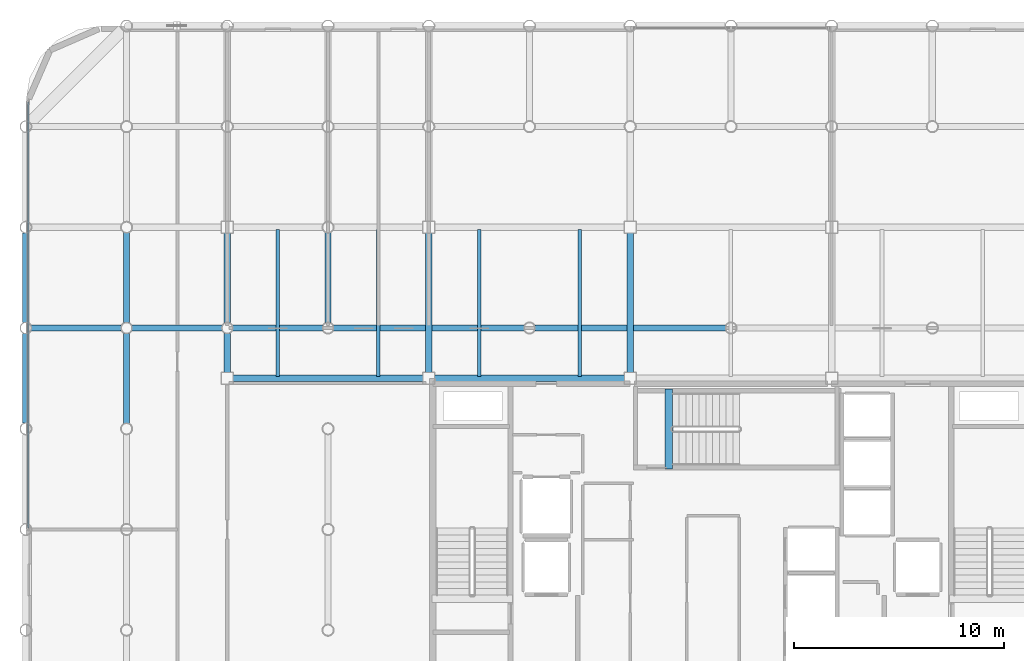
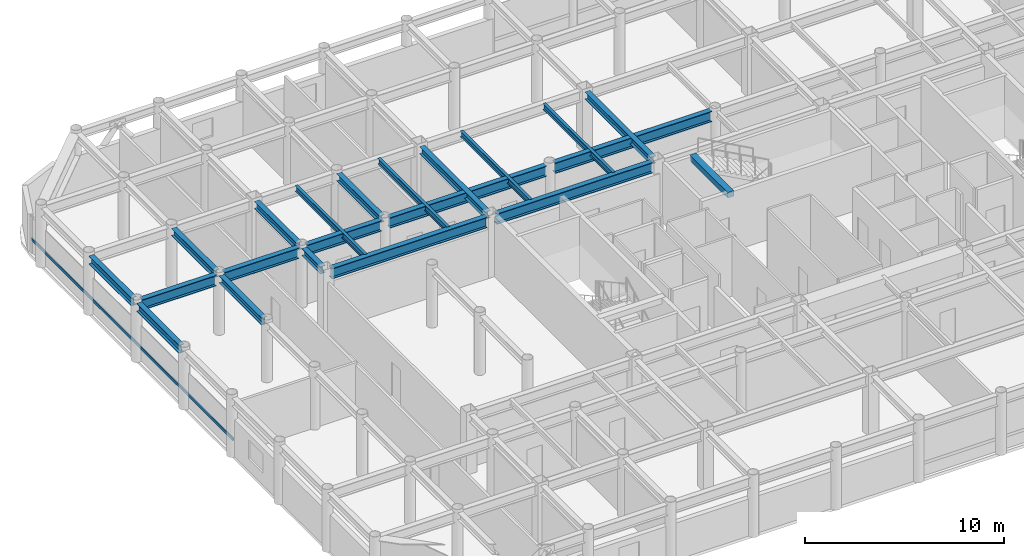
# One storey, part 7 of 21: 21 beams, 1 member, 1 element without a shape of its own.
"""IFC4 building model written with IfcOpenShell, lengths in metres."""

import ifcopenshell
import ifcopenshell.guid

model = None  # the IFC model being written
_history = None  # IfcOwnerHistory: only IFC2X3 demands one
_inside = {}  # id of a spatial element -> (the spatial element, [elements in it])
_under = {}  # id of a project, library or spatial element -> (it, [spatial elements below it])
_declared = {}  # id of a project -> (the project, [libraries it declares])
_typed = {}  # id of a type object -> (the type object, [elements of that type])
_made_of = {}  # id of a material, layer set ... -> (it, [elements and type objects made of it])


def new_model(schema):
    """Start an empty IFC model of exactly this schema.

    Asked for "IFC4X3", IfcOpenShell would pick the latest addendum, in which some entities
    have other attributes; the version numbers below select the first issue.
    IFC2X3 requires an IfcOwnerHistory on every rooted entity: one is made here for all.
    """
    global model, _history
    if schema == "IFC4X3":
        model = ifcopenshell.file(schema_version=(4, 3, 0, 0))
    else:
        model = ifcopenshell.file(schema=schema)
    _inside.clear()
    _under.clear()
    _declared.clear()
    _typed.clear()
    _made_of.clear()
    _history = None
    if model.schema == "IFC2X3":
        org = make("IfcOrganization", Name="unknown")
        user = make(
            "IfcPersonAndOrganization",
            ThePerson=make("IfcPerson", FamilyName="unknown"),
            TheOrganization=org,
        )
        app = make(
            "IfcApplication",
            ApplicationDeveloper=org,
            Version="unknown",
            ApplicationFullName="unknown",
            ApplicationIdentifier="unknown",
        )
        _history = make(
            "IfcOwnerHistory",
            OwningUser=user,
            OwningApplication=app,
            ChangeAction="ADDED",
            CreationDate=0,
        )
    return model


def make(cls, **values):
    """One entity of the class cls with the attributes given. An attribute that is None is left unset."""
    return model.create_entity(
        cls, **{name: value for name, value in values.items() if value is not None}
    )


def rooted(cls, **values):
    """An entity with a GlobalId (a new one), such as an element, a storey or a relation."""
    return make(cls, GlobalId=ifcopenshell.guid.new(), OwnerHistory=_history, **values)


def si_unit(unit_type, name, prefix=None):
    """IfcSIUnit, for example si_unit("LENGTHUNIT", "METRE", prefix="MILLI")."""
    return make("IfcSIUnit", UnitType=unit_type, Prefix=prefix, Name=name)


def assignment(units):
    """IfcUnitAssignment: the units of a project."""
    return None if units is None else make("IfcUnitAssignment", Units=units)


def point(xyz):
    """IfcCartesianPoint."""
    return None if xyz is None else make("IfcCartesianPoint", Coordinates=xyz)


def direction(xyz):
    """IfcDirection."""
    return None if xyz is None else make("IfcDirection", DirectionRatios=xyz)


def frame(location, z_axis=None, x_axis=None):
    """IfcAxis2Placement3D, a coordinate frame: its origin and axes. An axis left out is left unset."""
    return make(
        "IfcAxis2Placement3D",
        Location=point(location),
        Axis=direction(z_axis),
        RefDirection=direction(x_axis),
    )


def frame_2d(location, x_axis=None):
    """IfcAxis2Placement2D, a coordinate frame in the plane: its origin and x axis."""
    return make(
        "IfcAxis2Placement2D", Location=point(location), RefDirection=direction(x_axis)
    )


def origin():
    """The frame at (0, 0, 0) with its axes left unset."""
    return frame((0.0, 0.0, 0.0))


def origin_2d():
    """The frame at (0, 0) in the plane with its x axis left unset."""
    return frame_2d((0.0, 0.0))


def place(relative_to, where):
    """IfcLocalPlacement: puts the frame where relative to a parent placement (None: the world)."""
    return make(
        "IfcLocalPlacement", PlacementRelTo=relative_to, RelativePlacement=where
    )


def context(
    kind, dimensions, precision=None, world=None, true_north=None, identifier=None
):
    """IfcGeometricRepresentationContext, for example the 3D "Model" context."""
    return make(
        "IfcGeometricRepresentationContext",
        ContextIdentifier=identifier,
        ContextType=kind,
        CoordinateSpaceDimension=dimensions,
        Precision=precision,
        WorldCoordinateSystem=world,
        TrueNorth=true_north,
    )


def subcontext(parent, identifier, kind, view, scale=None):
    """IfcGeometricRepresentationSubContext, for example "Body" below "Model"."""
    return make(
        "IfcGeometricRepresentationSubContext",
        ContextIdentifier=identifier,
        ContextType=kind,
        ParentContext=parent,
        TargetScale=scale,
        TargetView=view,
    )


def project(units=None, contexts=None):
    """IfcProject with its units and contexts."""
    return rooted(
        "IfcProject",
        Name="project",
        RepresentationContexts=contexts,
        UnitsInContext=assignment(units),
    )


def spatial(cls, under=None, at=None, **own):
    """A site, building, storey or space (cls), placed at a placement, below another one or the project."""
    s = rooted(cls, ObjectPlacement=at, **own)
    if under is not None:
        _under.setdefault(under.id(), (under, []))[1].append(s)
    return s


def profile(cls, at=None, kind="AREA", **sizes):
    """A parametric profile (cls). Its sizes go by their IFC names, for example OverallWidth=200.0."""
    return make(cls, ProfileType=kind, Position=at, **sizes)


def rectangle(**sizes):
    """IfcRectangleProfileDef."""
    return profile("IfcRectangleProfileDef", **sizes)


def hollow_rectangle(**sizes):
    """IfcRectangleHollowProfileDef."""
    return profile("IfcRectangleHollowProfileDef", **sizes)


def i_section(**sizes):
    """IfcIShapeProfileDef."""
    return profile("IfcIShapeProfileDef", **sizes)


def extrude(swept, where, along, depth):
    """IfcExtrudedAreaSolid: the profile swept, set in the frame where, extruded along a direction by depth."""
    return make(
        "IfcExtrudedAreaSolid",
        SweptArea=swept,
        Position=where,
        ExtrudedDirection=direction(along),
        Depth=depth,
    )


def shape(context_of_items, identifier, shape_type, items):
    """IfcShapeRepresentation: the items that make up one representation, for example the "Body"."""
    return make(
        "IfcShapeRepresentation",
        ContextOfItems=context_of_items,
        RepresentationIdentifier=identifier,
        RepresentationType=shape_type,
        Items=items,
    )


def material(Name=None, Category=None):
    """IfcMaterial."""
    return make("IfcMaterial", Name=Name, Category=Category)


def layer(
    of_material, thickness, ventilated=None, Name=None, Category=None, Priority=None
):
    """IfcMaterialLayer: one layer of a wall or slab, of a material (None: an air gap)."""
    return make(
        "IfcMaterialLayer",
        Material=of_material,
        LayerThickness=thickness,
        IsVentilated=ventilated,
        Name=Name,
        Category=Category,
        Priority=Priority,
    )


def layer_set(layers, Name=None):
    """IfcMaterialLayerSet."""
    return make("IfcMaterialLayerSet", MaterialLayers=layers, LayerSetName=Name)


def material_profile(
    of_material, cross_section, Name=None, Category=None, Priority=None
):
    """IfcMaterialProfile: a cross section and its material."""
    return make(
        "IfcMaterialProfile",
        Name=Name,
        Material=of_material,
        Profile=cross_section,
        Priority=Priority,
        Category=Category,
    )


def profile_set(profiles, Name=None, composite=None):
    """IfcMaterialProfileSet."""
    return make(
        "IfcMaterialProfileSet",
        Name=Name,
        MaterialProfiles=profiles,
        CompositeProfile=composite,
    )


def made_of(thing, what):
    """Note that an element or type object is made of a material, layer set ...; save() writes the relation."""
    if what is not None:
        _made_of.setdefault(what.id(), (what, []))[1].append(thing)
    return thing


def type_object(cls, material=None, **own):
    """A type object (cls), such as IfcWallType, which elements share."""
    return made_of(rooted(cls, **own), material)


def element(
    cls,
    number,
    at=None,
    inside=None,
    cuts=None,
    type_object=None,
    material=None,
    context=None,
    identifier="Body",
    shape_type=None,
    held_by="IfcProductDefinitionShape",
    body=None,
    shapes=None,
    **own,
):
    """One element of the class cls, such as IfcWall. Its Tag is "e" and its number.

    at: its placement. inside: the storey or other place that contains it. cuts: it is an
    opening in that element (IfcRelVoidsElement). A single representation is given by context,
    identifier, shape_type and body (its items); several are given by shapes. held_by: the class
    of the entity that holds the representations. save() writes the other relations.
    """
    e = rooted(cls, Tag="e%d" % number, ObjectPlacement=at, **own)
    if body is not None:
        shapes = [shape(context, identifier, shape_type, body)]
    if shapes is not None:
        e.Representation = make(held_by, Representations=shapes)
    if inside is not None:
        _inside.setdefault(inside.id(), (inside, []))[1].append(e)
    if cuts is not None:
        rooted(
            "IfcRelVoidsElement", RelatingBuildingElement=cuts, RelatedOpeningElement=e
        )
    if type_object is not None:
        _typed.setdefault(type_object.id(), (type_object, []))[1].append(e)
    return made_of(e, material)


def aggregate(whole, parts):
    """IfcRelAggregates: a whole, such as a stair, and the parts it consists of."""
    return rooted("IfcRelAggregates", RelatingObject=whole, RelatedObjects=parts)


def save(model, path):
    """Write the relations noted so far, then the file.

    IfcRelAggregates (storeys below a building ...), IfcRelContainedInSpatialStructure (elements
    in a storey), IfcRelDefinesByType, IfcRelAssociatesMaterial and IfcRelDeclares: one each for
    every whole, place, type object, material and project.
    """
    for whole, parts in _under.values():
        aggregate(whole, parts)
    for where, things in _inside.values():
        rooted(
            "IfcRelContainedInSpatialStructure",
            RelatedElements=things,
            RelatingStructure=where,
        )
    for kind, things in _typed.values():
        rooted("IfcRelDefinesByType", RelatedObjects=things, RelatingType=kind)
    for what, things in _made_of.values():
        rooted("IfcRelAssociatesMaterial", RelatedObjects=things, RelatingMaterial=what)
    for by, libraries in _declared.values():
        rooted("IfcRelDeclares", RelatingContext=by, RelatedDefinitions=libraries)
    model.write(path)


model = new_model("IFC4")

# Units and contexts
model_context = context("Model", 3, precision=1e-05, world=origin(), true_north=direction((0.0, 1.0)))
body_context = subcontext(model_context, "Body", "Model", "MODEL_VIEW")
ifc_project = project(units=[si_unit("LENGTHUNIT", "METRE"), si_unit("AREAUNIT", "SQUARE_METRE"), si_unit("VOLUMEUNIT", "CUBIC_METRE"), si_unit("PLANEANGLEUNIT", "RADIAN"), si_unit("MASSUNIT", "GRAM", prefix="KILO")], contexts=[model_context])

# Site, building, storey
site_placement = place(None, origin())
site = spatial("IfcSite", under=ifc_project, at=site_placement, CompositionType="ELEMENT")
building_placement = place(site_placement, origin())
building = spatial("IfcBuilding", under=site, at=building_placement, Name="Kallvorn Hotel Tower", CompositionType="ELEMENT")
storey_placement = place(building_placement, frame((0.0, 0.0, 268.5)))
storey = spatial("IfcBuildingStorey", under=building, at=storey_placement, Name="L67", CompositionType="ELEMENT", Elevation=268.5)

# Beams
ifc_material_1 = material(Name="Structural steel S355JR", Category="steel")
ifc_material_profile_1 = material_profile(ifc_material_1, i_section(OverallWidth=0.300048828125, OverallDepth=0.43994140625, WebThickness=0.011474609375, FlangeThickness=0.02099609375, at=origin_2d()), Name="HE 450 A")
ifc_profile_set_1 = profile_set([ifc_material_profile_1], Name="Structural steel S355JR")
beam_type_1 = type_object("IfcBeamType", Name="BM_HE450A", PredefinedType="BEAM", material=ifc_profile_set_1)
for number, where, z_axis, x_axis, name in (
    (1, (-28.800048828125, 5.054443359375, 3.449951171875), (0.0, 1.0, 0.0), (-1.0, 0.0, 0.0), "L68 Primary Y-Girder 78"),
    (2, (-28.800048828125, 9.8544921875, 3.449951171875), (0.0, 1.0, 0.0), (-1.0, 0.0, 0.0), "L68 Primary Y-Girder 79"),
):
    element("IfcBeam", number, at=place(storey_placement, frame(where, z_axis=z_axis, x_axis=x_axis)), inside=storey, type_object=beam_type_1, Name=name, PredefinedType="BEAM", context=body_context, shape_type="SweptSolid", body=[
        extrude(i_section(OverallWidth=0.300048828125, OverallDepth=0.43994140625, WebThickness=0.011474609375, FlangeThickness=0.02099609375, at=origin_2d()), origin(), (0.0, 0.0, 1.0), 4.291015625),
    ])
beam_1_placement = place(storey_placement, frame((-24.0, 7.47509765625, 3.449951171875), z_axis=(0.0, 1.0, 0.0), x_axis=(-1.0, 0.0, 0.0)))
element("IfcBeam", 3, at=beam_1_placement, inside=storey, type_object=beam_type_1, Name="L68 Primary Y-Girder 85", PredefinedType="BEAM", context=body_context, shape_type="SweptSolid", body=[
    extrude(i_section(OverallWidth=0.300048828125, OverallDepth=0.43994140625, WebThickness=0.011474609375, FlangeThickness=0.02099609375, at=origin_2d()), origin(), (0.0, 0.0, 1.0), 1.870361328125),
])
beam_2_placement = place(storey_placement, frame((-24.0, 9.8544921875, 3.449951171875), z_axis=(0.0, 1.0, 0.0), x_axis=(-1.0, 0.0, 0.0)))
element("IfcBeam", 4, at=beam_2_placement, inside=storey, type_object=beam_type_1, Name="L68 Primary Y-Girder 86", PredefinedType="BEAM", context=body_context, shape_type="SweptSolid", body=[
    extrude(i_section(OverallWidth=0.300048828125, OverallDepth=0.43994140625, WebThickness=0.011474609375, FlangeThickness=0.02099609375, at=origin_2d()), origin(), (0.0, 0.0, 1.0), 4.2705078125),
])
beam_3_placement = place(storey_placement, frame((-19.199951171875, 9.8544921875, 3.449951171875), z_axis=(0.0, 1.0, 0.0), x_axis=(-1.0, 0.0, 0.0)))
element("IfcBeam", 5, at=beam_3_placement, inside=storey, type_object=beam_type_1, Name="L68 Primary Y-Girder 95", PredefinedType="BEAM", context=body_context, shape_type="SweptSolid", body=[
    extrude(i_section(OverallWidth=0.300048828125, OverallDepth=0.43994140625, WebThickness=0.011474609375, FlangeThickness=0.02099609375, at=origin_2d()), origin(), (0.0, 0.0, 1.0), 4.291015625),
])
for number, where, z_axis, x_axis, name in (
    (6, (-14.39990234375, 7.47509765625, 3.449951171875), (0.0, 1.0, 0.0), (-1.0, 0.0, 0.0), "L68 Primary Y-Girder 100"),
    (7, (-4.800048828125, 7.47509765625, 3.449951171875), (0.0, 1.0, 0.0), (-1.0, 0.0, 0.0), "L68 Primary Y-Girder 108"),
):
    element("IfcBeam", number, at=place(storey_placement, frame(where, z_axis=z_axis, x_axis=x_axis)), inside=storey, type_object=beam_type_1, Name=name, PredefinedType="BEAM", context=body_context, shape_type="SweptSolid", body=[
        extrude(i_section(OverallWidth=0.300048828125, OverallDepth=0.43994140625, WebThickness=0.011474609375, FlangeThickness=0.02099609375, at=origin_2d()), origin(), (0.0, 0.0, 1.0), 6.64990234375),
    ])
ifc_material_2 = material(Name="Structural steel S355JR", Category="steel")
ifc_material_profile_2 = material_profile(ifc_material_2, i_section(OverallWidth=0.300048828125, OverallDepth=0.5, WebThickness=0.014404296875, FlangeThickness=0.028076171875, at=origin_2d()), Name="HE 500 B")
ifc_profile_set_2 = profile_set([ifc_material_profile_2], Name="Structural steel S355JR")
beam_type_2 = type_object("IfcBeamType", Name="BM_HE500B", PredefinedType="SPANDREL", material=ifc_profile_set_2)
beam_4_placement = place(storey_placement, frame((-33.60009765625, 5.069580078125, 3.419921875), z_axis=(0.0, 1.0, 0.0), x_axis=(-1.0, 0.0, 0.0)))
element("IfcBeam", 8, at=beam_4_placement, inside=storey, type_object=beam_type_2, Name="L68 Perimeter Spandrel 178", PredefinedType="SPANDREL", context=body_context, shape_type="SweptSolid", body=[
    extrude(i_section(OverallWidth=0.300048828125, OverallDepth=0.5, WebThickness=0.014404296875, FlangeThickness=0.028076171875, at=origin_2d()), origin(), (0.0, 0.0, 1.0), 4.260986328125),
])
beam_5_placement = place(storey_placement, frame((-33.60009765625, 9.869384765625, 3.419921875), z_axis=(0.0, 1.0, 0.0), x_axis=(-1.0, 0.0, 0.0)))
element("IfcBeam", 9, at=beam_5_placement, inside=storey, type_object=beam_type_2, Name="L68 Perimeter Spandrel 179", PredefinedType="SPANDREL", context=body_context, shape_type="SweptSolid", body=[
    extrude(i_section(OverallWidth=0.300048828125, OverallDepth=0.5, WebThickness=0.014404296875, FlangeThickness=0.028076171875, at=origin_2d()), origin(), (0.0, 0.0, 1.0), 4.26123046875),
])
ifc_material_3 = material(Name="Structural steel S355JR", Category="steel")
ifc_material_profile_3 = material_profile(ifc_material_3, i_section(OverallWidth=0.300048828125, OverallDepth=0.64990234375, WebThickness=0.01611328125, FlangeThickness=0.031005859375, at=origin_2d()), Name="HE 650 B")
ifc_profile_set_3 = profile_set([ifc_material_profile_3], Name="Structural steel S355JR")
beam_type_3 = type_object("IfcBeamType", Name="BM_HE650B", PredefinedType="BEAM", material=ifc_profile_set_3)
for number, where, z_axis, x_axis, name in (
    (10, (-23.72509765625, 7.199951171875, 3.344970703125), (1.0, 0.0, 0.0), (0.0, 1.0, 0.0), "L68 Primary X-Girder 36"),
    (11, (-14.125, 7.199951171875, 3.344970703125), (1.0, 0.0, 0.0), (0.0, 1.0, 0.0), "L68 Primary X-Girder 37"),
):
    element("IfcBeam", number, at=place(storey_placement, frame(where, z_axis=z_axis, x_axis=x_axis)), inside=storey, type_object=beam_type_3, Name=name, PredefinedType="BEAM", context=body_context, shape_type="SweptSolid", body=[
        extrude(i_section(OverallWidth=0.300048828125, OverallDepth=0.64990234375, WebThickness=0.01611328125, FlangeThickness=0.031005859375, at=origin_2d()), origin(), (0.0, 0.0, 1.0), 9.050048828125),
    ])
for number, where, z_axis, x_axis, name in (
    (12, (-33.345458984375, 9.60009765625, 3.344970703125), (1.0, 0.0, 0.0), (0.0, 1.0, 0.0), "L68 Primary X-Girder 41"),
    (13, (-28.54541015625, 9.60009765625, 3.344970703125), (1.0, 0.0, 0.0), (0.0, 1.0, 0.0), "L68 Primary X-Girder 42"),
    (14, (-23.74560546875, 9.60009765625, 3.344970703125), (1.0, 0.0, 0.0), (0.0, 1.0, 0.0), "L68 Primary X-Girder 43"),
):
    element("IfcBeam", number, at=place(storey_placement, frame(where, z_axis=z_axis, x_axis=x_axis)), inside=storey, type_object=beam_type_3, Name=name, PredefinedType="BEAM", context=body_context, shape_type="SweptSolid", body=[
        extrude(i_section(OverallWidth=0.300048828125, OverallDepth=0.64990234375, WebThickness=0.01611328125, FlangeThickness=0.031005859375, at=origin_2d()), origin(), (0.0, 0.0, 1.0), 4.291015625),
    ])
for number, where, z_axis, x_axis, name in (
    (15, (-18.945556640625, 9.60009765625, 3.344970703125), (1.0, 0.0, 0.0), (0.0, 1.0, 0.0), "L68 Primary X-Girder 44"),
    (16, (-9.345458984375, 9.60009765625, 3.344970703125), (1.0, 0.0, 0.0), (0.0, 1.0, 0.0), "L68 Primary X-Girder 45"),
):
    element("IfcBeam", number, at=place(storey_placement, frame(where, z_axis=z_axis, x_axis=x_axis)), inside=storey, type_object=beam_type_3, Name=name, PredefinedType="BEAM", context=body_context, shape_type="SweptSolid", body=[
        extrude(i_section(OverallWidth=0.300048828125, OverallDepth=0.64990234375, WebThickness=0.01611328125, FlangeThickness=0.031005859375, at=origin_2d()), origin(), (0.0, 0.0, 1.0), 9.091064453125),
    ])
ifc_material_4 = material(Name="Structural steel S355JR", Category="steel")
ifc_material_profile_4 = material_profile(ifc_material_4, i_section(OverallWidth=0.169921875, OverallDepth=0.360107421875, WebThickness=0.008056640625, FlangeThickness=0.0126953125, at=origin_2d()), Name="IPE 360")
ifc_profile_set_4 = profile_set([ifc_material_profile_4], Name="Structural steel S355JR")
beam_type_4 = type_object("IfcBeamType", Name="BM_IPE360", PredefinedType="JOIST", material=ifc_profile_set_4)
for number, where, z_axis, x_axis, name in (
    (17, (-21.60009765625, 7.300048828125, 3.489990234375), (0.0, 1.0, 0.0), (-1.0, 0.0, 0.0), "L68 Secondary Composite Joist 193"),
    (18, (-16.800048828125, 7.300048828125, 3.489990234375), (0.0, 1.0, 0.0), (-1.0, 0.0, 0.0), "L68 Secondary Composite Joist 195"),
    (19, (-12.0, 7.300048828125, 3.489990234375), (0.0, 1.0, 0.0), (-1.0, 0.0, 0.0), "L68 Secondary Composite Joist 197"),
    (20, (-7.199951171875, 7.300048828125, 3.489990234375), (0.0, 1.0, 0.0), (-1.0, 0.0, 0.0), "L68 Secondary Composite Joist 199"),
):
    element("IfcBeam", number, at=place(storey_placement, frame(where, z_axis=z_axis, x_axis=x_axis)), inside=storey, type_object=beam_type_4, Name=name, PredefinedType="JOIST", context=body_context, shape_type="SweptSolid", body=[
        extrude(i_section(OverallWidth=0.169921875, OverallDepth=0.360107421875, WebThickness=0.008056640625, FlangeThickness=0.0126953125, at=origin_2d()), origin(), (0.0, 0.0, 1.0), 7.0),
    ])
ifc_material_5 = material(Name="Concrete C50/60", Category="concrete")
ifc_material_profile_5 = material_profile(ifc_material_5, rectangle(XDim=0.360107421875, YDim=0.340087890625, at=origin_2d()), Name="RC 360x340")
ifc_profile_set_5 = profile_set([ifc_material_profile_5], Name="Concrete C50/60")
beam_type_5 = type_object("IfcBeamType", Name="BM_RC_400x360", PredefinedType="BEAM", material=ifc_profile_set_5)
beam_6_placement = place(storey_placement, frame((-2.9599609375, 2.8701171875, 3.5), z_axis=(0.0, 1.0, 0.0), x_axis=(-1.0, 0.0, 0.0)))
element("IfcBeam", 21, at=beam_6_placement, inside=storey, type_object=beam_type_5, Name="L68 Stair ST3 Arrival Trimmer Beam", PredefinedType="BEAM", context=body_context, shape_type="SweptSolid", body=[
    extrude(rectangle(XDim=0.360107421875, YDim=0.340087890625, at=origin_2d()), origin(), (0.0, 0.0, 1.0), 3.81982421875),
])

# Curtain wall, member
ifc_material_6 = material(Name="Thermally broken black-anodised aluminium AA 6063-T6", Category="aluminium")
ifc_layer = layer(ifc_material_6, 0.22998046875)
ifc_layer_set = layer_set([ifc_layer], Name="CW_SYS_5_HOTEL_HIGH")
curtain_wall_type = type_object("IfcCurtainWallType", Name="CW_SYS_5_HOTEL_HIGH", PredefinedType="USERDEFINED", material=ifc_layer_set)
curtain_wall_placement = place(storey_placement, origin())
curtain_wall = element("IfcCurtainWall", 22, at=curtain_wall_placement, inside=storey, type_object=curtain_wall_type, Name="L67 Dark-Glass Curtain Wall CW-L67-WN", ObjectType="UNITISED CURTAIN WALL", PredefinedType="USERDEFINED")
ifc_material_7 = material(Name="Thermally broken black-anodised aluminium AA 6063-T6", Category="aluminium")
ifc_material_profile_6 = material_profile(ifc_material_7, hollow_rectangle(XDim=0.070068359375, YDim=0.179931640625, WallThickness=0.00390625, at=origin_2d()), Name="TRN 180x70")
ifc_profile_set_6 = profile_set([ifc_material_profile_6], Name="Thermally broken black-anodised aluminium AA 6063-T6")
member_type = type_object("IfcMemberType", Name="CW_TRANSOM_180x70", PredefinedType="USERDEFINED", material=ifc_profile_set_6)
member_placement = place(storey_placement, frame((-33.47998046875, 0.06005859375, 0.85009765625), z_axis=(0.0, 1.0, 0.0), x_axis=(-1.0, 0.0, 0.0)))
member = element("IfcMember", 23, at=member_placement, type_object=member_type, Name="CW-L67-WN Transom 00M", ObjectType="TRANSOM", PredefinedType="USERDEFINED", context=body_context, shape_type="SweptSolid", body=[
    extrude(hollow_rectangle(XDim=0.070068359375, YDim=0.179931640625, WallThickness=0.00390625, at=origin_2d()), origin(), (0.0, 0.0, 1.0), 20.300048828125),
])
aggregate(curtain_wall, [member])

save(model, "model.ifc")
